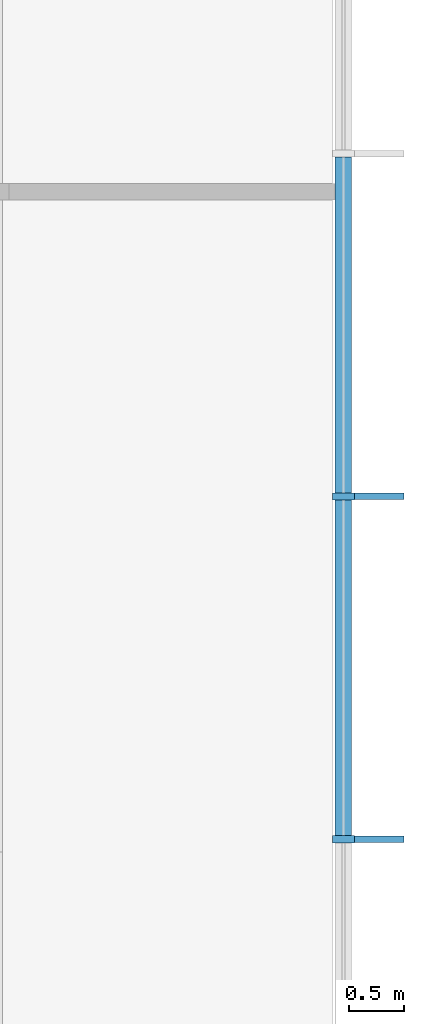
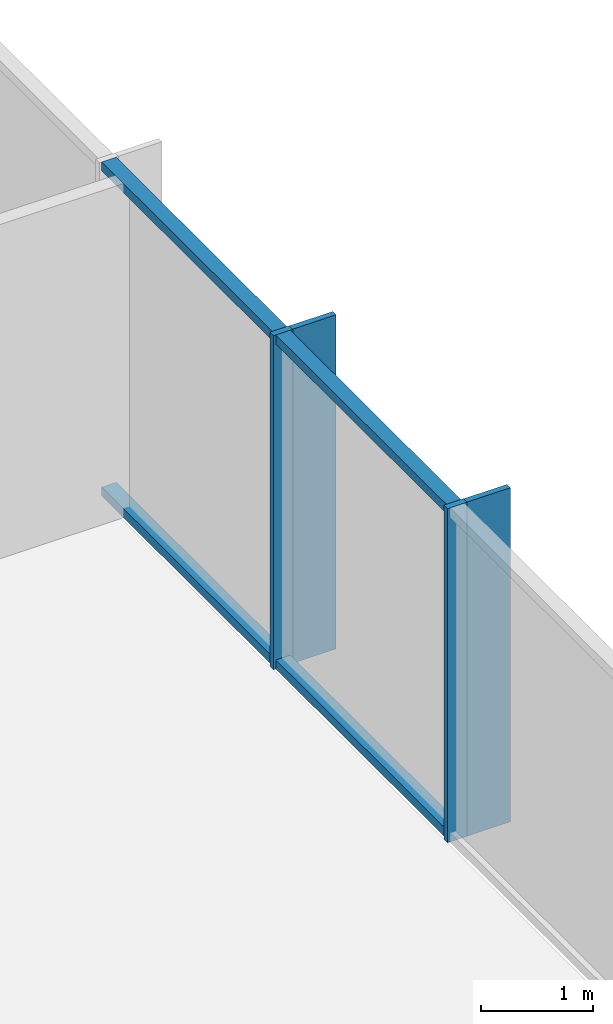
# One storey, part 5 of 12: 8 members, 1 element without a shape of its own.
"""IFC4 building model written with IfcOpenShell, lengths in metres."""

import ifcopenshell
import ifcopenshell.guid

model = None  # the IFC model being written
_history = None  # IfcOwnerHistory: only IFC2X3 demands one
_inside = {}  # id of a spatial element -> (the spatial element, [elements in it])
_under = {}  # id of a project, library or spatial element -> (it, [spatial elements below it])
_declared = {}  # id of a project -> (the project, [libraries it declares])
_typed = {}  # id of a type object -> (the type object, [elements of that type])
_made_of = {}  # id of a material, layer set ... -> (it, [elements and type objects made of it])


def new_model(schema):
    """Start an empty IFC model of exactly this schema.

    Asked for "IFC4X3", IfcOpenShell would pick the latest addendum, in which some entities
    have other attributes; the version numbers below select the first issue.
    IFC2X3 requires an IfcOwnerHistory on every rooted entity: one is made here for all.
    """
    global model, _history
    if schema == "IFC4X3":
        model = ifcopenshell.file(schema_version=(4, 3, 0, 0))
    else:
        model = ifcopenshell.file(schema=schema)
    _inside.clear()
    _under.clear()
    _declared.clear()
    _typed.clear()
    _made_of.clear()
    _history = None
    if model.schema == "IFC2X3":
        org = make("IfcOrganization", Name="unknown")
        user = make(
            "IfcPersonAndOrganization",
            ThePerson=make("IfcPerson", FamilyName="unknown"),
            TheOrganization=org,
        )
        app = make(
            "IfcApplication",
            ApplicationDeveloper=org,
            Version="unknown",
            ApplicationFullName="unknown",
            ApplicationIdentifier="unknown",
        )
        _history = make(
            "IfcOwnerHistory",
            OwningUser=user,
            OwningApplication=app,
            ChangeAction="ADDED",
            CreationDate=0,
        )
    return model


def make(cls, **values):
    """One entity of the class cls with the attributes given. An attribute that is None is left unset."""
    return model.create_entity(
        cls, **{name: value for name, value in values.items() if value is not None}
    )


def rooted(cls, **values):
    """An entity with a GlobalId (a new one), such as an element, a storey or a relation."""
    return make(cls, GlobalId=ifcopenshell.guid.new(), OwnerHistory=_history, **values)


def si_unit(unit_type, name, prefix=None):
    """IfcSIUnit, for example si_unit("LENGTHUNIT", "METRE", prefix="MILLI")."""
    return make("IfcSIUnit", UnitType=unit_type, Prefix=prefix, Name=name)


def assignment(units):
    """IfcUnitAssignment: the units of a project."""
    return None if units is None else make("IfcUnitAssignment", Units=units)


def point(xyz):
    """IfcCartesianPoint."""
    return None if xyz is None else make("IfcCartesianPoint", Coordinates=xyz)


def direction(xyz):
    """IfcDirection."""
    return None if xyz is None else make("IfcDirection", DirectionRatios=xyz)


def frame(location, z_axis=None, x_axis=None):
    """IfcAxis2Placement3D, a coordinate frame: its origin and axes. An axis left out is left unset."""
    return make(
        "IfcAxis2Placement3D",
        Location=point(location),
        Axis=direction(z_axis),
        RefDirection=direction(x_axis),
    )


def frame_2d(location, x_axis=None):
    """IfcAxis2Placement2D, a coordinate frame in the plane: its origin and x axis."""
    return make(
        "IfcAxis2Placement2D", Location=point(location), RefDirection=direction(x_axis)
    )


def origin():
    """The frame at (0, 0, 0) with its axes left unset."""
    return frame((0.0, 0.0, 0.0))


def origin_2d():
    """The frame at (0, 0) in the plane with its x axis left unset."""
    return frame_2d((0.0, 0.0))


def place(relative_to, where):
    """IfcLocalPlacement: puts the frame where relative to a parent placement (None: the world)."""
    return make(
        "IfcLocalPlacement", PlacementRelTo=relative_to, RelativePlacement=where
    )


def context(
    kind, dimensions, precision=None, world=None, true_north=None, identifier=None
):
    """IfcGeometricRepresentationContext, for example the 3D "Model" context."""
    return make(
        "IfcGeometricRepresentationContext",
        ContextIdentifier=identifier,
        ContextType=kind,
        CoordinateSpaceDimension=dimensions,
        Precision=precision,
        WorldCoordinateSystem=world,
        TrueNorth=true_north,
    )


def subcontext(parent, identifier, kind, view, scale=None):
    """IfcGeometricRepresentationSubContext, for example "Body" below "Model"."""
    return make(
        "IfcGeometricRepresentationSubContext",
        ContextIdentifier=identifier,
        ContextType=kind,
        ParentContext=parent,
        TargetScale=scale,
        TargetView=view,
    )


def project(units=None, contexts=None):
    """IfcProject with its units and contexts."""
    return rooted(
        "IfcProject",
        Name="project",
        RepresentationContexts=contexts,
        UnitsInContext=assignment(units),
    )


def spatial(cls, under=None, at=None, **own):
    """A site, building, storey or space (cls), placed at a placement, below another one or the project."""
    s = rooted(cls, ObjectPlacement=at, **own)
    if under is not None:
        _under.setdefault(under.id(), (under, []))[1].append(s)
    return s


def profile(cls, at=None, kind="AREA", **sizes):
    """A parametric profile (cls). Its sizes go by their IFC names, for example OverallWidth=200.0."""
    return make(cls, ProfileType=kind, Position=at, **sizes)


def rectangle(**sizes):
    """IfcRectangleProfileDef."""
    return profile("IfcRectangleProfileDef", **sizes)


def extrude(swept, where, along, depth):
    """IfcExtrudedAreaSolid: the profile swept, set in the frame where, extruded along a direction by depth."""
    return make(
        "IfcExtrudedAreaSolid",
        SweptArea=swept,
        Position=where,
        ExtrudedDirection=direction(along),
        Depth=depth,
    )


def shape(context_of_items, identifier, shape_type, items):
    """IfcShapeRepresentation: the items that make up one representation, for example the "Body"."""
    return make(
        "IfcShapeRepresentation",
        ContextOfItems=context_of_items,
        RepresentationIdentifier=identifier,
        RepresentationType=shape_type,
        Items=items,
    )


def material(Name=None, Category=None):
    """IfcMaterial."""
    return make("IfcMaterial", Name=Name, Category=Category)


def layer(
    of_material, thickness, ventilated=None, Name=None, Category=None, Priority=None
):
    """IfcMaterialLayer: one layer of a wall or slab, of a material (None: an air gap)."""
    return make(
        "IfcMaterialLayer",
        Material=of_material,
        LayerThickness=thickness,
        IsVentilated=ventilated,
        Name=Name,
        Category=Category,
        Priority=Priority,
    )


def layer_set(layers, Name=None):
    """IfcMaterialLayerSet."""
    return make("IfcMaterialLayerSet", MaterialLayers=layers, LayerSetName=Name)


def material_profile(
    of_material, cross_section, Name=None, Category=None, Priority=None
):
    """IfcMaterialProfile: a cross section and its material."""
    return make(
        "IfcMaterialProfile",
        Name=Name,
        Material=of_material,
        Profile=cross_section,
        Priority=Priority,
        Category=Category,
    )


def profile_set(profiles, Name=None, composite=None):
    """IfcMaterialProfileSet."""
    return make(
        "IfcMaterialProfileSet",
        Name=Name,
        MaterialProfiles=profiles,
        CompositeProfile=composite,
    )


def made_of(thing, what):
    """Note that an element or type object is made of a material, layer set ...; save() writes the relation."""
    if what is not None:
        _made_of.setdefault(what.id(), (what, []))[1].append(thing)
    return thing


def type_object(cls, material=None, **own):
    """A type object (cls), such as IfcWallType, which elements share."""
    return made_of(rooted(cls, **own), material)


def element(
    cls,
    number,
    at=None,
    inside=None,
    cuts=None,
    type_object=None,
    material=None,
    context=None,
    identifier="Body",
    shape_type=None,
    held_by="IfcProductDefinitionShape",
    body=None,
    shapes=None,
    **own,
):
    """One element of the class cls, such as IfcWall. Its Tag is "e" and its number.

    at: its placement. inside: the storey or other place that contains it. cuts: it is an
    opening in that element (IfcRelVoidsElement). A single representation is given by context,
    identifier, shape_type and body (its items); several are given by shapes. held_by: the class
    of the entity that holds the representations. save() writes the other relations.
    """
    e = rooted(cls, Tag="e%d" % number, ObjectPlacement=at, **own)
    if body is not None:
        shapes = [shape(context, identifier, shape_type, body)]
    if shapes is not None:
        e.Representation = make(held_by, Representations=shapes)
    if inside is not None:
        _inside.setdefault(inside.id(), (inside, []))[1].append(e)
    if cuts is not None:
        rooted(
            "IfcRelVoidsElement", RelatingBuildingElement=cuts, RelatedOpeningElement=e
        )
    if type_object is not None:
        _typed.setdefault(type_object.id(), (type_object, []))[1].append(e)
    return made_of(e, material)


def aggregate(whole, parts):
    """IfcRelAggregates: a whole, such as a stair, and the parts it consists of."""
    return rooted("IfcRelAggregates", RelatingObject=whole, RelatedObjects=parts)


def save(model, path):
    """Write the relations noted so far, then the file.

    IfcRelAggregates (storeys below a building ...), IfcRelContainedInSpatialStructure (elements
    in a storey), IfcRelDefinesByType, IfcRelAssociatesMaterial and IfcRelDeclares: one each for
    every whole, place, type object, material and project.
    """
    for whole, parts in _under.values():
        aggregate(whole, parts)
    for where, things in _inside.values():
        rooted(
            "IfcRelContainedInSpatialStructure",
            RelatedElements=things,
            RelatingStructure=where,
        )
    for kind, things in _typed.values():
        rooted("IfcRelDefinesByType", RelatedObjects=things, RelatingType=kind)
    for what, things in _made_of.values():
        rooted("IfcRelAssociatesMaterial", RelatedObjects=things, RelatingMaterial=what)
    for by, libraries in _declared.values():
        rooted("IfcRelDeclares", RelatingContext=by, RelatedDefinitions=libraries)
    model.write(path)


model = new_model("IFC4")

# Units and contexts
model_context = context("Model", 3, precision=1e-05, world=origin(), true_north=direction((0.0, 1.0)))
body_context = subcontext(model_context, "Body", "Model", "MODEL_VIEW")
ifc_project = project(units=[si_unit("LENGTHUNIT", "METRE"), si_unit("AREAUNIT", "SQUARE_METRE"), si_unit("VOLUMEUNIT", "CUBIC_METRE"), si_unit("PLANEANGLEUNIT", "RADIAN"), si_unit("MASSUNIT", "GRAM", prefix="KILO")], contexts=[model_context])

# Site, building, storey
site_placement = place(None, origin())
site = spatial("IfcSite", under=ifc_project, at=site_placement, CompositionType="ELEMENT")
building_placement = place(site_placement, origin())
building = spatial("IfcBuilding", under=site, at=building_placement, Name="Highveld Stack Headquarters", CompositionType="ELEMENT")
storey_placement = place(building_placement, frame((0.0, 0.0, 160.10009765625)))
storey = spatial("IfcBuildingStorey", under=building, at=storey_placement, Name="L39", CompositionType="ELEMENT", Elevation=160.10009765625)

# Curtain wall, members
ifc_material_1 = material(Name="Aluminium bronze anodised", Category="aluminium")
ifc_layer = layer(ifc_material_1, 0.199951171875)
ifc_layer_set = layer_set([ifc_layer], Name="Aluminium bronze anodised")
curtain_wall_type = type_object("IfcCurtainWallType", Name="CW1 TOWER UNITISED CURTAIN WALL", PredefinedType="NOTDEFINED", material=ifc_layer_set)
curtain_wall_placement = place(storey_placement, origin())
curtain_wall = element("IfcCurtainWall", 1, at=curtain_wall_placement, inside=storey, type_object=curtain_wall_type, Name="Curtain wall CW1 L39 E", PredefinedType="NOTDEFINED")
ifc_material_2 = material(Name="Aluminium bronze anodised", Category="aluminium")
ifc_material_profile_1 = material_profile(ifc_material_2, rectangle(XDim=0.449951171875, YDim=0.06005859375, at=origin_2d()), Name="FIN 450x60")
ifc_profile_set_1 = profile_set([ifc_material_profile_1], Name="Aluminium bronze anodised")
member_type_1 = type_object("IfcMemberType", Name="CW1 BRONZE FIN 450x60", PredefinedType="USERDEFINED", material=ifc_profile_set_1)
member_1_placement = place(storey_placement, frame((31.72509765625, 6.115966796875, 0.0), z_axis=(0.0, 0.0, 1.0), x_axis=(-1.0, 0.0, 0.0)))
member_1 = element("IfcMember", 2, at=member_1_placement, type_object=member_type_1, Name="CW1 fin L39 7", ObjectType="FIN", PredefinedType="USERDEFINED", context=body_context, shape_type="SweptSolid", body=[
    extrude(rectangle(XDim=0.449951171875, YDim=0.06005859375, at=origin_2d()), origin(), (0.0, 0.0, 1.0), 3.64990234375),
])
member_2_placement = place(storey_placement, frame((31.72509765625, 9.23193359375, 0.0), z_axis=(0.0, 0.0, 1.0), x_axis=(-1.0, 0.0, 0.0)))
member_2 = element("IfcMember", 3, at=member_2_placement, type_object=member_type_1, Name="CW1 fin L39 8", ObjectType="FIN", PredefinedType="USERDEFINED", context=body_context, shape_type="SweptSolid", body=[
    extrude(rectangle(XDim=0.449951171875, YDim=0.06005859375, at=origin_2d()), origin(), (0.0, 0.0, 1.0), 3.64990234375),
])
ifc_material_3 = material(Name="Aluminium bronze anodised", Category="aluminium")
ifc_material_profile_2 = material_profile(ifc_material_3, rectangle(XDim=0.199951171875, YDim=0.06494140625, at=origin_2d()), Name="CW1 MULLION 65x200")
ifc_profile_set_2 = profile_set([ifc_material_profile_2], Name="Aluminium bronze anodised")
member_type_2 = type_object("IfcMemberType", Name="CW1 MULLION 65x200", PredefinedType="MULLION", material=ifc_profile_set_2)
member_3_placement = place(storey_placement, frame((31.39990234375, 6.115966796875, 0.0), z_axis=(0.0, 0.0, 1.0), x_axis=(-1.0, 0.0, 0.0)))
member_3 = element("IfcMember", 4, at=member_3_placement, type_object=member_type_2, Name="CW1 mullion L39 7", PredefinedType="MULLION", context=body_context, shape_type="SweptSolid", body=[
    extrude(rectangle(XDim=0.199951171875, YDim=0.06494140625, at=origin_2d()), origin(), (0.0, 0.0, 1.0), 3.64990234375),
])
member_4_placement = place(storey_placement, frame((31.39990234375, 9.23193359375, 0.0), z_axis=(0.0, 0.0, 1.0), x_axis=(-1.0, 0.0, 0.0)))
member_4 = element("IfcMember", 5, at=member_4_placement, type_object=member_type_2, Name="CW1 mullion L39 8", PredefinedType="MULLION", context=body_context, shape_type="SweptSolid", body=[
    extrude(rectangle(XDim=0.199951171875, YDim=0.06494140625, at=origin_2d()), origin(), (0.0, 0.0, 1.0), 3.64990234375),
])
ifc_material_4 = material(Name="Aluminium bronze anodised", Category="aluminium")
ifc_material_profile_3 = material_profile(ifc_material_4, rectangle(XDim=0.14990234375, YDim=0.10009765625, at=origin_2d()), Name="CW1 TRANSOM 150x100")
ifc_profile_set_3 = profile_set([ifc_material_profile_3], Name="Aluminium bronze anodised")
member_type_3 = type_object("IfcMemberType", Name="CW1 STACK TRANSOM 150x100", PredefinedType="USERDEFINED", material=ifc_profile_set_3)
member_5_placement = place(storey_placement, frame((31.39990234375, 6.1484375, 0.0498046875), z_axis=(0.0, 1.0, 0.0), x_axis=(-1.0, 0.0, 0.0)))
member_5 = element("IfcMember", 6, at=member_5_placement, type_object=member_type_3, Name="CW1 transom L39 7.1", ObjectType="TRANSOM", PredefinedType="USERDEFINED", context=body_context, shape_type="SweptSolid", body=[
    extrude(rectangle(XDim=0.14990234375, YDim=0.10009765625, at=origin_2d()), origin(), (0.0, 0.0, 1.0), 3.051025390625),
])
member_6_placement = place(storey_placement, frame((31.39990234375, 6.1484375, 3.599853515625), z_axis=(0.0, 1.0, 0.0), x_axis=(-1.0, 0.0, 0.0)))
member_6 = element("IfcMember", 7, at=member_6_placement, type_object=member_type_3, Name="CW1 transom L39 7.2", ObjectType="TRANSOM", PredefinedType="USERDEFINED", context=body_context, shape_type="SweptSolid", body=[
    extrude(rectangle(XDim=0.14990234375, YDim=0.10009765625, at=origin_2d()), origin(), (0.0, 0.0, 1.0), 3.051025390625),
])
member_7_placement = place(storey_placement, frame((31.39990234375, 9.264404296875, 0.0498046875), z_axis=(0.0, 1.0, 0.0), x_axis=(-1.0, 0.0, 0.0)))
member_7 = element("IfcMember", 8, at=member_7_placement, type_object=member_type_3, Name="CW1 transom L39 8.1", ObjectType="TRANSOM", PredefinedType="USERDEFINED", context=body_context, shape_type="SweptSolid", body=[
    extrude(rectangle(XDim=0.14990234375, YDim=0.10009765625, at=origin_2d()), origin(), (0.0, 0.0, 1.0), 3.051025390625),
])
member_8_placement = place(storey_placement, frame((31.39990234375, 9.264404296875, 3.599853515625), z_axis=(0.0, 1.0, 0.0), x_axis=(-1.0, 0.0, 0.0)))
member_8 = element("IfcMember", 9, at=member_8_placement, type_object=member_type_3, Name="CW1 transom L39 8.2", ObjectType="TRANSOM", PredefinedType="USERDEFINED", context=body_context, shape_type="SweptSolid", body=[
    extrude(rectangle(XDim=0.14990234375, YDim=0.10009765625, at=origin_2d()), origin(), (0.0, 0.0, 1.0), 3.051025390625),
])
aggregate(curtain_wall, [member_3, member_1, member_4, member_2, member_5, member_6, member_7, member_8])

save(model, "model.ifc")
